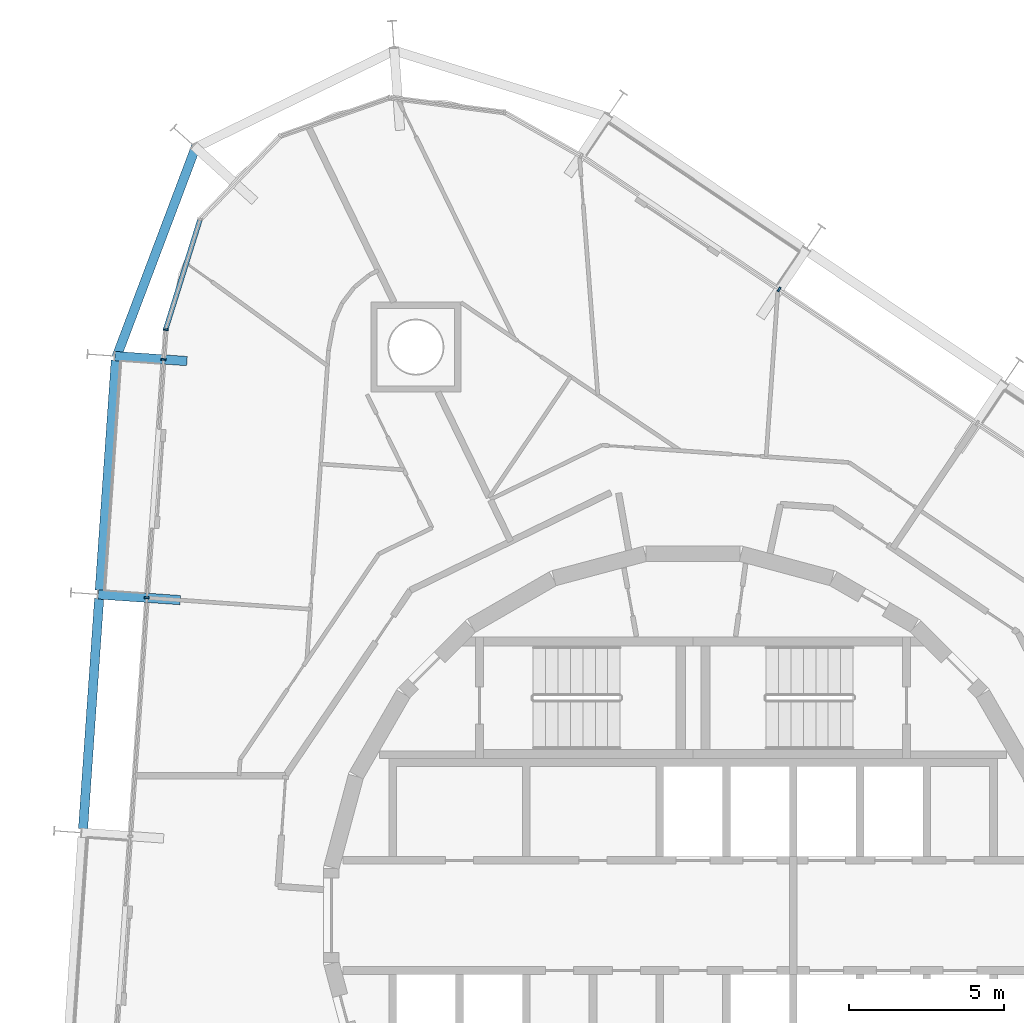
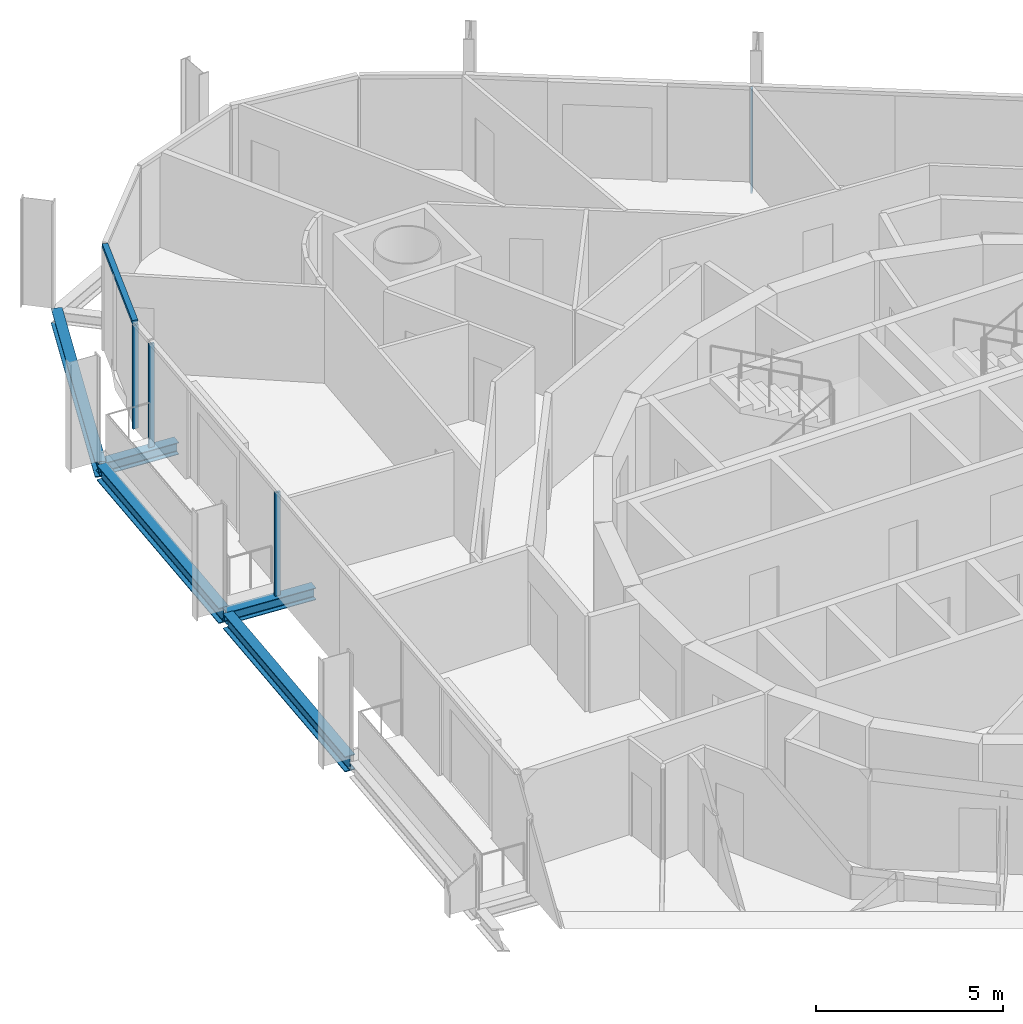
# One storey, part 6 of 18: 5 beams, 5 members, 3 elements without a shape of their own.
"""IFC4 building model written with IfcOpenShell, lengths in metres."""

from ifc_helpers import new_model, si_unit, direction, frame, origin, origin_2d, place, context, subcontext, project, spatial, rectangle, i_section, extrude, material, layer, layer_set, material_profile, profile_set, type_object, element, aggregate, save


model = new_model("IFC4")

# Units and contexts
model_context = context("Model", 3, precision=1e-05, world=origin(), true_north=direction((0.0, 1.0)))
body_context = subcontext(model_context, "Body", "Model", "MODEL_VIEW")
ifc_project = project(units=[si_unit("LENGTHUNIT", "METRE"), si_unit("AREAUNIT", "SQUARE_METRE"), si_unit("VOLUMEUNIT", "CUBIC_METRE"), si_unit("PLANEANGLEUNIT", "RADIAN"), si_unit("MASSUNIT", "GRAM", prefix="KILO")], contexts=[model_context])

# Site, building, storey
site_placement = place(None, origin())
site = spatial("IfcSite", under=ifc_project, at=site_placement, CompositionType="ELEMENT")
building_placement = place(site_placement, origin())
building = spatial("IfcBuilding", under=site, at=building_placement, Name="Spindle Arch Residences", CompositionType="ELEMENT")
storey_placement = place(building_placement, frame((0.0, 0.0, 195.39990234375)))
storey = spatial("IfcBuildingStorey", under=building, at=storey_placement, Name="L49", CompositionType="ELEMENT", Elevation=195.39990234375)

# Curtain wall, member
ifc_material_1 = material(Name="Aluminium bronze unitised frame with tinted glass", Category="aluminium")
ifc_layer_1 = layer(ifc_material_1, 0.159912109375)
ifc_layer_set_1 = layer_set([ifc_layer_1], Name="CW-C typical residential unitised wall")
curtain_wall_type_1 = type_object("IfcCurtainWallType", Name="CW-C typical residential unitised wall", PredefinedType="NOTDEFINED", material=ifc_layer_set_1)
curtain_wall_1_placement = place(storey_placement, origin())
curtain_wall_1 = element("IfcCurtainWall", 1, at=curtain_wall_1_placement, inside=storey, type_object=curtain_wall_type_1, Name="CW-C L49 run 2", PredefinedType="NOTDEFINED")
ifc_material_2 = material(Name="Aluminium bronze anodised mullion", Category="aluminium")
ifc_material_profile_1 = material_profile(ifc_material_2, rectangle(XDim=0.159912109375, YDim=0.06005859375, at=origin_2d()), Name="MU 60x160")
ifc_profile_set_1 = profile_set([ifc_material_profile_1], Name="Aluminium bronze anodised mullion")
member_type_1 = type_object("IfcMemberType", Name="Bronze mullion 60x160", PredefinedType="MULLION", material=ifc_profile_set_1)
member_1_placement = place(storey_placement, frame((2.769775390625, 20.158203125, -0.3798828125), z_axis=(0.0, 0.0, 1.0), x_axis=(-0.559192903471, -0.829037572555, 0.0)))
member_1 = element("IfcMember", 2, at=member_1_placement, type_object=member_type_1, Name="CW-C mullion 08", PredefinedType="MULLION", context=body_context, shape_type="SweptSolid", body=[
    extrude(rectangle(XDim=0.159912109375, YDim=0.06005859375, at=origin_2d()), origin(), (0.0, 0.0, 1.0), 3.3798828125),
])
aggregate(curtain_wall_1, [member_1])

ifc_material_3 = material(Name="Aluminium bronze unitised frame with tinted glass", Category="aluminium")
ifc_layer_2 = layer(ifc_material_3, 0.159912109375)
ifc_layer_set_2 = layer_set([ifc_layer_2], Name="CW-D corner wall on the fillet arcs")
curtain_wall_type_2 = type_object("IfcCurtainWallType", Name="CW-D corner wall on the fillet arcs", PredefinedType="NOTDEFINED", material=ifc_layer_set_2)
curtain_wall_2_placement = place(storey_placement, origin())
curtain_wall_2 = element("IfcCurtainWall", 3, at=curtain_wall_2_placement, inside=storey, type_object=curtain_wall_type_2, Name="CW-D L49 run 3", PredefinedType="NOTDEFINED")
member_2_placement = place(storey_placement, frame((-16.986328125, 18.864501953125, -0.3798828125), z_axis=(0.0, 0.0, 1.0), x_axis=(0.99756405026, -0.069756473744, 0.0)))
member_2 = element("IfcMember", 4, at=member_2_placement, type_object=member_type_1, Name="CW-D mullion 05", PredefinedType="MULLION", context=body_context, shape_type="SweptSolid", body=[
    extrude(rectangle(XDim=0.159912109375, YDim=0.06005859375, at=origin_2d()), origin(), (0.0, 0.0, 1.0), 3.3798828125),
])

# Curtain wall, members
curtain_wall_3_placement = place(storey_placement, origin())
curtain_wall_3 = element("IfcCurtainWall", 5, at=curtain_wall_3_placement, inside=storey, type_object=curtain_wall_type_1, Name="CW-C L49 run 4", PredefinedType="NOTDEFINED")
member_3_placement = place(storey_placement, frame((-17.053466796875, 17.90283203125, -0.3798828125), z_axis=(0.0, 0.0, 1.0), x_axis=(0.99756405026, -0.069756473744, 0.0)))
member_3 = element("IfcMember", 6, at=member_3_placement, type_object=member_type_1, Name="CW-C mullion 12", PredefinedType="MULLION", context=body_context, shape_type="SweptSolid", body=[
    extrude(rectangle(XDim=0.159912109375, YDim=0.06005859375, at=origin_2d()), origin(), (0.0, 0.0, 1.0), 3.3798828125),
])
member_4_placement = place(storey_placement, frame((-17.590087890625, 10.22802734375, -0.3798828125), z_axis=(0.0, 0.0, 1.0), x_axis=(0.99756405026, -0.069756473744, 0.0)))
member_4 = element("IfcMember", 7, at=member_4_placement, type_object=member_type_1, Name="CW-C mullion 13", PredefinedType="MULLION", context=body_context, shape_type="SweptSolid", body=[
    extrude(rectangle(XDim=0.159912109375, YDim=0.06005859375, at=origin_2d()), origin(), (0.0, 0.0, 1.0), 3.3798828125),
])
aggregate(curtain_wall_3, [member_3, member_4])

# Member
ifc_material_4 = material(Name="Aluminium bronze anodised transom", Category="aluminium")
ifc_material_profile_2 = material_profile(ifc_material_4, rectangle(XDim=0.159912109375, YDim=0.1201171875, at=origin_2d()), Name="TR 120x160")
ifc_profile_set_2 = profile_set([ifc_material_profile_2], Name="Aluminium bronze anodised transom")
member_type_2 = type_object("IfcMemberType", Name="Bronze transom 120x160", PredefinedType="USERDEFINED", material=ifc_profile_set_2)
member_5_placement = place(storey_placement, frame((-15.884765625, 22.393310546875, 3.06005859375), z_axis=(-0.297952730594, -0.95458062537, 0.0), x_axis=(0.95458062537, -0.297952730594, 0.0)))
member_5 = element("IfcMember", 8, at=member_5_placement, type_object=member_type_2, Name="CW-D transom 04", ObjectType="TRANSOM", PredefinedType="USERDEFINED", context=body_context, shape_type="SweptSolid", body=[
    extrude(rectangle(XDim=0.159912109375, YDim=0.1201171875, at=origin_2d()), origin(), (0.0, 0.0, 1.0), 3.666748046875),
])

aggregate(curtain_wall_2, [member_5, member_2])

# Beams
ifc_material_5 = material(Name="Steel S460ML, intumescent coating R 120", Category="steel")
ifc_material_profile_3 = material_profile(ifc_material_5, i_section(OverallWidth=0.300048828125, OverallDepth=0.5, WebThickness=0.014404296875, FlangeThickness=0.028076171875, FilletRadius=0.027099609375, at=origin_2d()), Name="HEB 500")
ifc_profile_set_3 = profile_set([ifc_material_profile_3], Name="Steel S460ML, intumescent coating R 120")
beam_type_1 = type_object("IfcBeamType", Name="Exoskeleton edge beam HEB 500", PredefinedType="BEAM", material=ifc_profile_set_3)
beam_1_placement = place(storey_placement, frame((-16.005859375, 24.768310546875, -0.6298828125), z_axis=(-0.353273753707, -0.935519991738, 0.0), x_axis=(0.935519991738, -0.353273753707, 0.0)))
element("IfcBeam", 9, at=beam_1_placement, inside=storey, type_object=beam_type_1, Name="Exoskeleton edge beam 12", PredefinedType="BEAM", context=body_context, shape_type="SweptSolid", body=[
    extrude(i_section(OverallWidth=0.300048828125, OverallDepth=0.5, WebThickness=0.014404296875, FlangeThickness=0.028076171875, FilletRadius=0.027099609375, at=origin_2d()), origin(), (0.0, 0.0, 1.0), 7.26318359375),
])
beam_2_placement = place(storey_placement, frame((-18.5888671875, 17.8798828125, -0.6298828125), z_axis=(-0.069757879566, -0.997563951954, 0.0), x_axis=(0.997563951954, -0.069757879566, 0.0)))
element("IfcBeam", 10, at=beam_2_placement, inside=storey, type_object=beam_type_1, Name="Exoskeleton edge beam 13", PredefinedType="BEAM", context=body_context, shape_type="SweptSolid", body=[
    extrude(i_section(OverallWidth=0.300048828125, OverallDepth=0.5, WebThickness=0.014404296875, FlangeThickness=0.028076171875, FilletRadius=0.027099609375, at=origin_2d()), origin(), (0.0, 0.0, 1.0), 7.43359375),
])
beam_3_placement = place(storey_placement, frame((-19.12548828125, 10.205078125, -0.6298828125), z_axis=(-0.069755594186, -0.997564111764, 0.0), x_axis=(0.997564111764, -0.069755594186, 0.0)))
element("IfcBeam", 11, at=beam_3_placement, inside=storey, type_object=beam_type_1, Name="Exoskeleton edge beam 14", PredefinedType="BEAM", context=body_context, shape_type="SweptSolid", body=[
    extrude(i_section(OverallWidth=0.300048828125, OverallDepth=0.5, WebThickness=0.014404296875, FlangeThickness=0.028076171875, FilletRadius=0.027099609375, at=origin_2d()), origin(), (0.0, 0.0, 1.0), 7.433837890625),
])
ifc_material_6 = material(Name="Steel S460ML, intumescent coating R 120", Category="steel")
ifc_material_profile_4 = material_profile(ifc_material_6, i_section(OverallWidth=0.300048828125, OverallDepth=0.389892578125, WebThickness=0.010986328125, FlangeThickness=0.01904296875, FilletRadius=0.027099609375, at=origin_2d()), Name="HEA 400")
ifc_profile_set_4 = profile_set([ifc_material_profile_4], Name="Steel S460ML, intumescent coating R 120")
beam_type_2 = type_object("IfcBeamType", Name="Floor outrigger HEA 400", PredefinedType="BEAM", material=ifc_profile_set_4)
beam_4_placement = place(storey_placement, frame((-18.61962890625, 18.012451171875, -0.574951171875), z_axis=(0.997565099834, -0.069741462509, 0.0), x_axis=(0.069741462509, 0.997565099834, 0.0)))
element("IfcBeam", 12, at=beam_4_placement, inside=storey, type_object=beam_type_2, Name="Floor outrigger 13", PredefinedType="BEAM", context=body_context, shape_type="SweptSolid", body=[
    extrude(i_section(OverallWidth=0.300048828125, OverallDepth=0.389892578125, WebThickness=0.010986328125, FlangeThickness=0.01904296875, FilletRadius=0.027099609375, at=origin_2d()), origin(), (0.0, 0.0, 1.0), 2.327880859375),
])
beam_5_placement = place(storey_placement, frame((-19.15625, 10.33740234375, -0.574951171875), z_axis=(0.997565124092, -0.069741115528, 0.0), x_axis=(0.069741115528, 0.997565124092, 0.0)))
element("IfcBeam", 13, at=beam_5_placement, inside=storey, type_object=beam_type_2, Name="Floor outrigger 14", PredefinedType="BEAM", context=body_context, shape_type="SweptSolid", body=[
    extrude(i_section(OverallWidth=0.300048828125, OverallDepth=0.389892578125, WebThickness=0.010986328125, FlangeThickness=0.01904296875, FilletRadius=0.027099609375, at=origin_2d()), origin(), (0.0, 0.0, 1.0), 2.64990234375),
])

save(model, "model.ifc")
